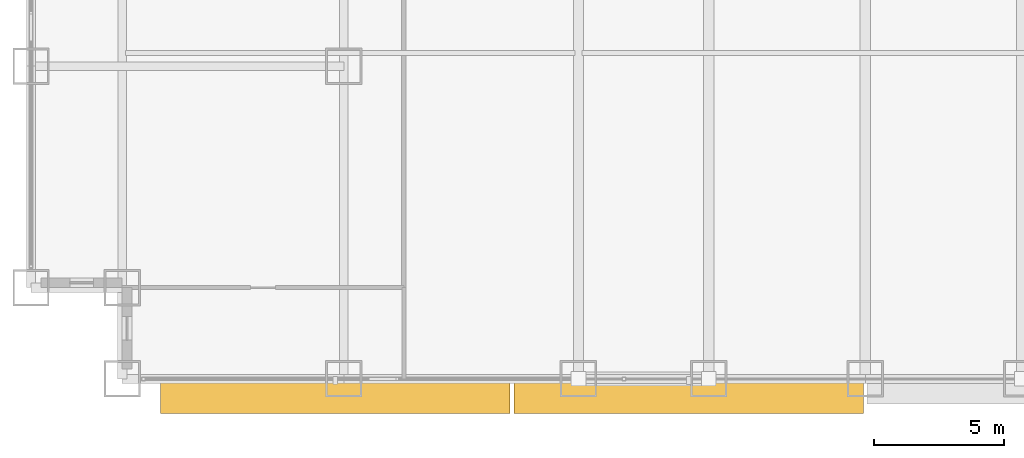
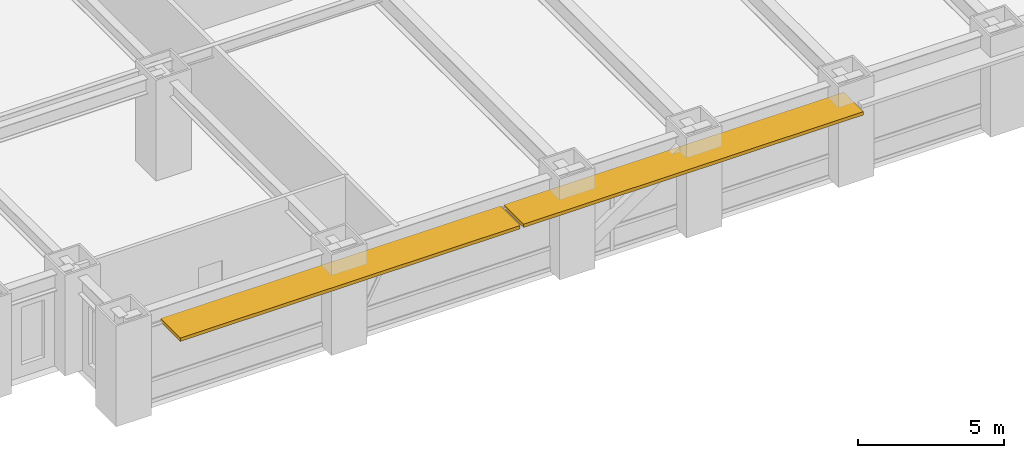
# One storey, part 27 of 31: 2 shading devices.
"""IFC4 building model written with IfcOpenShell, lengths in metres."""

from ifc_helpers import new_model, si_unit, direction, frame, origin, origin_2d, place, context, subcontext, project, spatial, rectangle, extrude, source, transform, mapped, material, layer, layer_set, type_object, element, save


model = new_model("IFC4")

# Units and contexts
model_context = context("Model", 3, precision=1e-05, world=origin(), true_north=direction((0.0, 1.0)))
body_context = subcontext(model_context, "Body", "Model", "MODEL_VIEW")
ifc_project = project(units=[si_unit("LENGTHUNIT", "METRE"), si_unit("AREAUNIT", "SQUARE_METRE"), si_unit("VOLUMEUNIT", "CUBIC_METRE"), si_unit("PLANEANGLEUNIT", "RADIAN"), si_unit("MASSUNIT", "GRAM", prefix="KILO")], contexts=[model_context])

# Site, building, storey
site_placement = place(None, origin())
site = spatial("IfcSite", under=ifc_project, at=site_placement, CompositionType="ELEMENT")
building_placement = place(site_placement, origin())
building = spatial("IfcBuilding", under=site, at=building_placement, Name="Khorayat Bourse Tower", CompositionType="ELEMENT")
storey_placement = place(building_placement, frame((0.0, 0.0, 36.800048828125)))
storey = spatial("IfcBuildingStorey", under=building, at=storey_placement, Name="L07", CompositionType="ELEMENT", Elevation=36.800048828125)

# Shading devices
ifc_material = material(Name="Precast concrete C45/55", Category="concrete")
ifc_layer = layer(ifc_material, 0.139892578125)
ifc_layer_set = layer_set([ifc_layer], Name="Precast concrete C45/55")
shading_device_type = type_object("IfcShadingDeviceType", Name="SHD-WAVE-TRAY-B", PredefinedType="USERDEFINED", material=ifc_layer_set)
shared_shape_1 = source(origin(), body_context, "Body", "SweptSolid", [
    extrude(rectangle(XDim=13.409912109375, YDim=1.350341796875, at=origin_2d()), origin(), (0.0, 0.0, 1.0), 0.139892578125),
])
shading_device_1_placement = place(storey_placement, frame((-20.324951171875, -32.655029296875, 3.18994140625), z_axis=(0.0, 0.0, 1.0), x_axis=(1.0, 0.0, 0.0)))
element("IfcShadingDevice", 1, at=shading_device_1_placement, inside=storey, type_object=shading_device_type, Name="L07 Sinusoidal Wave Sunshade Tray S-1", ObjectType="SUNSHADE", PredefinedType="USERDEFINED", context=body_context, shape_type="MappedRepresentation", body=[
    mapped(shared_shape_1, transform((0.0, 0.0, 0.0), scale=1.0)),
])
shared_shape_2 = source(origin(), body_context, "Body", "SweptSolid", [
    extrude(rectangle(XDim=13.409912109375, YDim=1.341796875, at=origin_2d()), origin(), (0.0, 0.0, 1.0), 0.139892578125),
])
shading_device_2_placement = place(storey_placement, frame((-6.77490234375, -32.65087890625, 3.18994140625), z_axis=(0.0, 0.0, 1.0), x_axis=(1.0, 0.0, 0.0)))
element("IfcShadingDevice", 2, at=shading_device_2_placement, inside=storey, type_object=shading_device_type, Name="L07 Sinusoidal Wave Sunshade Tray S-2", ObjectType="SUNSHADE", PredefinedType="USERDEFINED", context=body_context, shape_type="MappedRepresentation", body=[
    mapped(shared_shape_2, transform((0.0, 0.0, 0.0), scale=1.0)),
])

save(model, "model.ifc")
